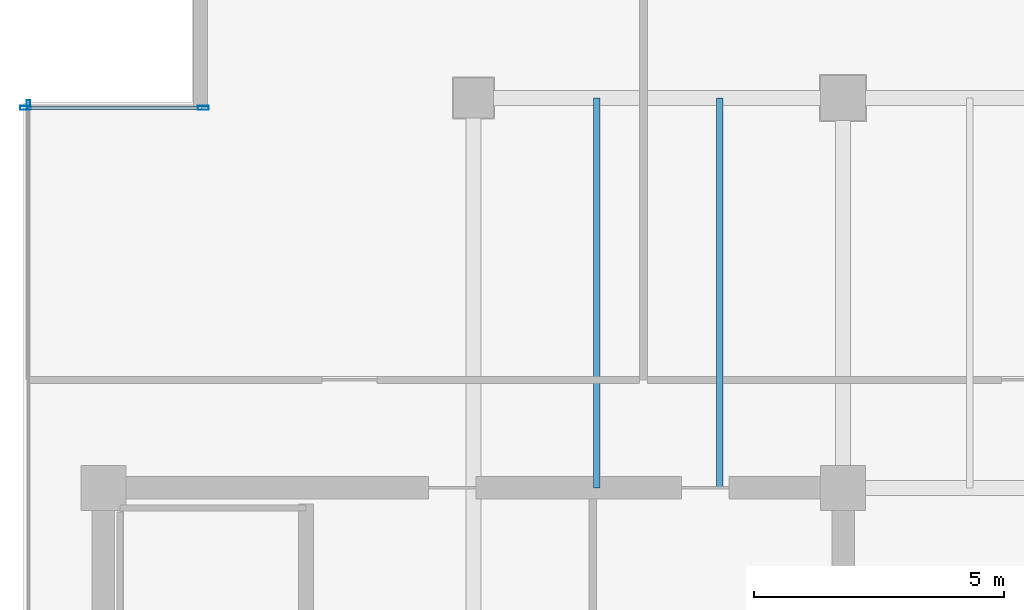
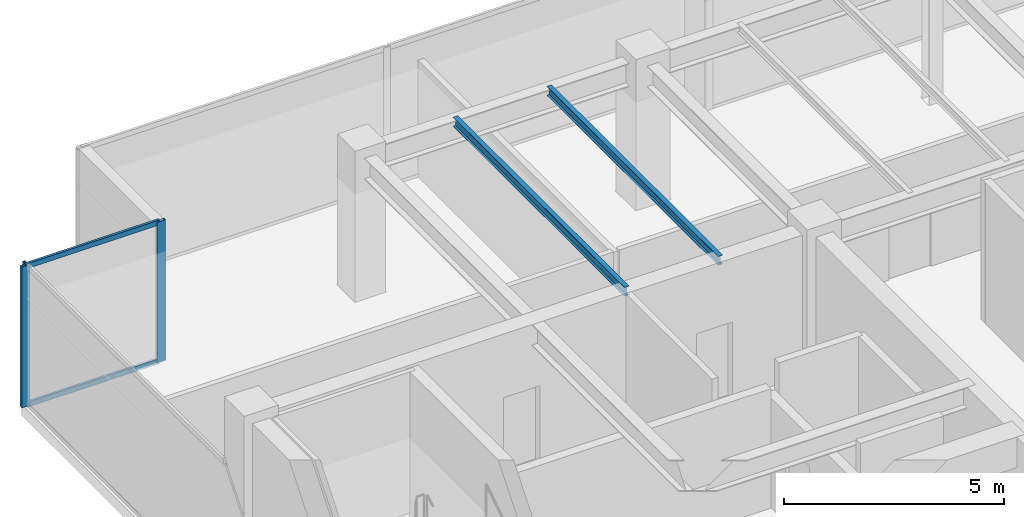
# One storey, part 19 of 34: 5 members, 2 beams, 2 elements without a shape of their own.
"""IFC4 building model written with IfcOpenShell, lengths in metres."""

from ifc_helpers import new_model, si_unit, direction, frame, origin, origin_2d, place, context, subcontext, project, spatial, hollow_rectangle, i_section, extrude, source, transform, mapped, material, layer, layer_set, material_profile, profile_set, type_object, type_shapes, element, aggregate, save


model = new_model("IFC4")

# Units and contexts
model_context = context("Model", 3, precision=1e-05, world=origin(), true_north=direction((0.0, 1.0)))
body_context = subcontext(model_context, "Body", "Model", "MODEL_VIEW")
ifc_project = project(units=[si_unit("LENGTHUNIT", "METRE"), si_unit("AREAUNIT", "SQUARE_METRE"), si_unit("VOLUMEUNIT", "CUBIC_METRE"), si_unit("PLANEANGLEUNIT", "RADIAN"), si_unit("MASSUNIT", "GRAM", prefix="KILO")], contexts=[model_context])

# Site, building, storey
site_placement = place(None, origin())
site = spatial("IfcSite", under=ifc_project, at=site_placement, CompositionType="ELEMENT")
building_placement = place(site_placement, origin())
building = spatial("IfcBuilding", under=site, at=building_placement, Name="Haelvirn Gate Laboratories", CompositionType="ELEMENT")
storey_placement = place(building_placement, frame((0.0, 0.0, 322.800048828125)))
storey = spatial("IfcBuildingStorey", under=building, at=storey_placement, Name="L77", CompositionType="ELEMENT", Elevation=322.800048828125)

# Beams
ifc_material_1 = material(Name="Steel SM355", Category="steel")
ifc_material_profile_1 = material_profile(ifc_material_1, i_section(OverallWidth=0.125, OverallDepth=0.25, WebThickness=0.006103515625, FlangeThickness=0.009033203125, at=origin_2d()), Name="H-250x125x6x9")
ifc_profile_set_1 = profile_set([ifc_material_profile_1], Name="Steel SM355")
beam_type = type_object("IfcBeamType", Name="BM-J-250", PredefinedType="JOIST", material=ifc_profile_set_1)
shared_shape_1 = source(origin(), body_context, "Body", "SweptSolid", [
    extrude(i_section(OverallWidth=0.125, OverallDepth=0.25, WebThickness=0.006103515625, FlangeThickness=0.009033203125, at=origin_2d()), origin(), (0.0, 0.0, 1.0), 7.800048828125),
])
type_shapes(beam_type, [shared_shape_1])
for number, where, z_axis, x_axis, name in (
    (1, (17.27001953125, 33.800048828125, 3.794921875), (0.0, 1.0, 0.0), (-1.0, 0.0, 0.0), "L77 Composite Lab Joist North X17.27"),
    (2, (19.72998046875, 33.800048828125, 3.794921875), (0.0, 1.0, 0.0), (-1.0, 0.0, 0.0), "L77 Composite Lab Joist North X19.73"),
):
    element("IfcBeam", number, at=place(storey_placement, frame(where, z_axis=z_axis, x_axis=x_axis)), inside=storey, type_object=beam_type, Name=name, PredefinedType="JOIST", context=body_context, shape_type="MappedRepresentation", body=[
        mapped(shared_shape_1, transform((0.0, 0.0, 0.0), scale=1.0)),
    ])

# Curtain wall, members
ifc_material_2 = material(Name="Anodised bronze unitised aluminium & triple low-E glass", Category="aluminium")
ifc_layer_1 = layer(ifc_material_2, 0.181884765625, Name="CW-SYS-5")
ifc_layer_set_1 = layer_set([ifc_layer_1], Name="Anodised bronze unitised aluminium & triple low-E glass")
curtain_wall_type_1 = type_object("IfcCurtainWallType", Name="CW-SYS-5", PredefinedType="NOTDEFINED", material=ifc_layer_set_1)
curtain_wall_1_placement = place(storey_placement, origin())
curtain_wall_1 = element("IfcCurtainWall", 3, at=curtain_wall_1_placement, inside=storey, type_object=curtain_wall_type_1, Name="L77 Unitised Curtain Wall CW-L77-P0-E16-1", PredefinedType="NOTDEFINED")
ifc_material_3 = material(Name="Extruded aluminium 6063-T6 (anodised bronze)", Category="aluminium")
ifc_material_profile_2 = material_profile(ifc_material_3, hollow_rectangle(XDim=0.06494140625, YDim=0.139892578125, WallThickness=0.00390625, at=origin_2d()), Name="CWT-140x65x4")
ifc_profile_set_2 = profile_set([ifc_material_profile_2], Name="Extruded aluminium 6063-T6 (anodised bronze)")
member_type_1 = type_object("IfcMemberType", Name="CWT-T140", PredefinedType="USERDEFINED", material=ifc_profile_set_2)
shared_shape_2 = source(origin(), body_context, "Body", "SweptSolid", [
    extrude(hollow_rectangle(XDim=0.06494140625, YDim=0.139892578125, WallThickness=0.00390625, at=origin_2d()), origin(), (0.0, 0.0, 1.0), 3.480224609375),
])
type_shapes(member_type_1, [shared_shape_2])
member_1_placement = place(storey_placement, frame((5.8798828125, 41.39990234375, 0.032470703125), z_axis=(1.0, 0.0, 0.0), x_axis=(0.0, 1.0, 0.0)))
member_1 = element("IfcMember", 4, at=member_1_placement, type_object=member_type_1, Name="CW5 transom 1.1", ObjectType="TRANSOM", PredefinedType="USERDEFINED", context=body_context, shape_type="MappedRepresentation", body=[
    mapped(shared_shape_2, transform((0.0, 0.0, 0.0), scale=1.0)),
])
member_2_placement = place(storey_placement, frame((5.8798828125, 41.39990234375, 3.887451171875), z_axis=(1.0, 0.0, 0.0), x_axis=(0.0, 1.0, 0.0)))
member_2 = element("IfcMember", 5, at=member_2_placement, type_object=member_type_1, Name="CW5 transom 1.2", ObjectType="TRANSOM", PredefinedType="USERDEFINED", context=body_context, shape_type="MappedRepresentation", body=[
    mapped(shared_shape_2, transform((0.0, 0.0, 0.0), scale=1.0)),
])

# Curtain wall, member
ifc_layer_2 = layer(ifc_material_2, 0.176025390625, Name="CW-SYS-4")
ifc_layer_set_2 = layer_set([ifc_layer_2], Name="Anodised bronze unitised aluminium & triple low-E glass")
curtain_wall_type_2 = type_object("IfcCurtainWallType", Name="CW-SYS-4", PredefinedType="NOTDEFINED", material=ifc_layer_set_2)
curtain_wall_2_placement = place(storey_placement, origin())
curtain_wall_2 = element("IfcCurtainWall", 6, at=curtain_wall_2_placement, inside=storey, type_object=curtain_wall_type_2, Name="L77 Unitised Curtain Wall CW-L77-P0-E17", PredefinedType="NOTDEFINED")
ifc_material_profile_3 = material_profile(ifc_material_3, hollow_rectangle(XDim=0.070068359375, YDim=0.179931640625, WallThickness=0.0048828125, at=origin_2d()), Name="CWM-180x70x5")
ifc_profile_set_3 = profile_set([ifc_material_profile_3], Name="Extruded aluminium 6063-T6 (anodised bronze)")
member_type_2 = type_object("IfcMemberType", Name="CWM-T180", PredefinedType="MULLION", material=ifc_profile_set_3)
shared_shape_3 = source(origin(), body_context, "Body", "SweptSolid", [
    extrude(hollow_rectangle(XDim=0.070068359375, YDim=0.179931640625, WallThickness=0.0048828125, at=origin_2d()), origin(), (0.0, 0.0, 1.0), 3.919921875),
])
type_shapes(member_type_2, [shared_shape_3])
member_3_placement = place(storey_placement, frame((5.89990234375, 41.465087890625, 0.0), z_axis=(0.0, 0.0, 1.0), x_axis=(1.0, 0.0, 0.0)))
member_3 = element("IfcMember", 7, at=member_3_placement, type_object=member_type_2, Name="CW4 mullion 1", PredefinedType="MULLION", context=body_context, shape_type="MappedRepresentation", body=[
    mapped(shared_shape_3, transform((0.0, 0.0, 0.0), scale=1.0)),
])
aggregate(curtain_wall_2, [member_3])

# Member
ifc_material_profile_4 = material_profile(ifc_material_3, hollow_rectangle(XDim=0.080078125, YDim=0.219970703125, WallThickness=0.006103515625, at=origin_2d()), Name="CWM-220x80x6")
ifc_profile_set_4 = profile_set([ifc_material_profile_4], Name="Extruded aluminium 6063-T6 (anodised bronze)")
member_type_3 = type_object("IfcMemberType", Name="CWM-T220", PredefinedType="MULLION", material=ifc_profile_set_4)
shared_shape_4 = source(origin(), body_context, "Body", "SweptSolid", [
    extrude(hollow_rectangle(XDim=0.080078125, YDim=0.219970703125, WallThickness=0.006103515625, at=origin_2d()), origin(), (0.0, 0.0, 1.0), 3.919921875),
])
type_shapes(member_type_3, [shared_shape_4])
member_4_placement = place(storey_placement, frame((5.840087890625, 41.39990234375, 0.0), z_axis=(0.0, 0.0, 1.0), x_axis=(0.0, 1.0, 0.0)))
member_4 = element("IfcMember", 8, at=member_4_placement, type_object=member_type_3, Name="CW5 mullion 1", PredefinedType="MULLION", context=body_context, shape_type="MappedRepresentation", body=[
    mapped(shared_shape_4, transform((0.0, 0.0, 0.0), scale=1.0)),
])

member_5_placement = place(storey_placement, frame((9.39990234375, 41.39990234375, 0.0), z_axis=(0.0, 0.0, 1.0), x_axis=(0.0, 1.0, 0.0)))
member_5 = element("IfcMember", 9, at=member_5_placement, type_object=member_type_3, Name="CW5 mullion 2", PredefinedType="MULLION", context=body_context, shape_type="MappedRepresentation", body=[
    mapped(shared_shape_4, transform((0.0, 0.0, 0.0), scale=1.0)),
])

aggregate(curtain_wall_1, [member_4, member_5, member_1, member_2])

save(model, "model.ifc")
